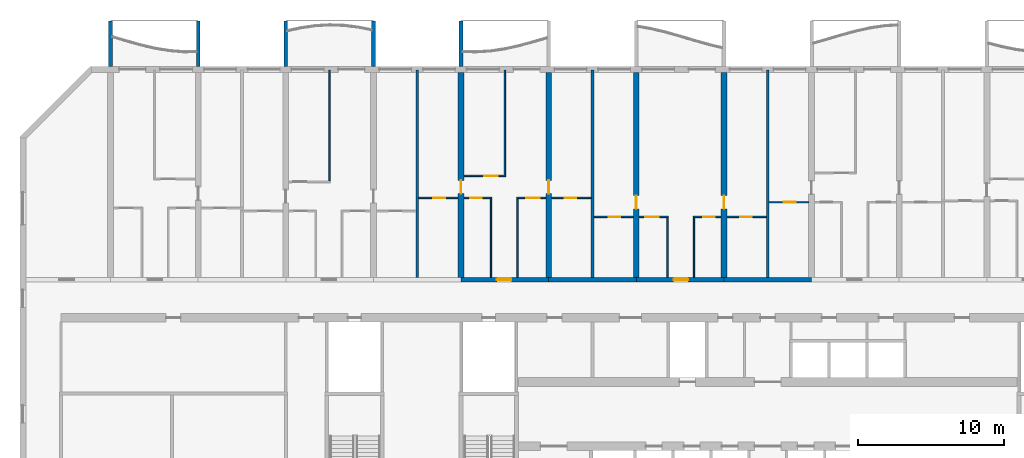
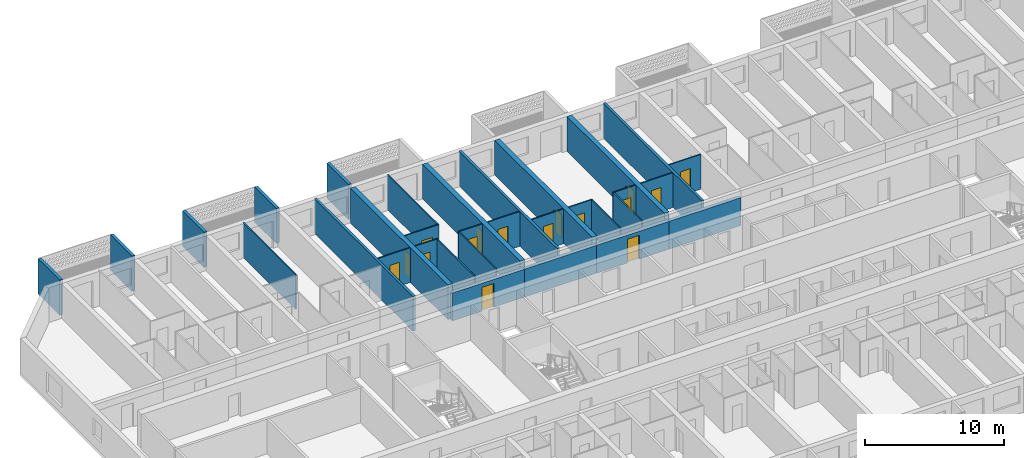
# One storey, part 11 of 38: 32 walls, 16 doors, 16 openings.
"""IFC4 building model written with IfcOpenShell, lengths in metres."""

from ifc_helpers import new_model, si_unit, direction, frame, frame_2d, origin, place, context, subcontext, project, spatial, polyline, rectangle, outline, extrude, source, transform, mapped, material, layer, layer_set, type_object, element, fill, save


model = new_model("IFC4")

# Units and contexts
model_context = context("Model", 3, precision=1e-05, world=origin(), true_north=direction((0.0, 1.0)))
body_context = subcontext(model_context, "Body", "Model", "MODEL_VIEW")
ifc_project = project(units=[si_unit("LENGTHUNIT", "METRE"), si_unit("AREAUNIT", "SQUARE_METRE"), si_unit("VOLUMEUNIT", "CUBIC_METRE"), si_unit("PLANEANGLEUNIT", "RADIAN"), si_unit("MASSUNIT", "GRAM", prefix="KILO")], contexts=[model_context])

# Site, building, storey
site_placement = place(None, origin())
site = spatial("IfcSite", under=ifc_project, at=site_placement, CompositionType="ELEMENT")
building_placement = place(site_placement, origin())
building = spatial("IfcBuilding", under=site, at=building_placement, Name="Poui Terraces", CompositionType="ELEMENT")
storey_placement = place(building_placement, frame((0.0, 0.0, 43.199951171875)))
storey = spatial("IfcBuildingStorey", under=building, at=storey_placement, Name="L11", CompositionType="ELEMENT", Elevation=43.199951171875)

# Wall, opening, door
ifc_material_1 = material(Name="Concrete 80 MPa", Category="concrete")
ifc_layer_1 = layer(ifc_material_1, 0.300048828125)
ifc_layer_set_1 = layer_set([ifc_layer_1], Name="Concrete 80 MPa")
wall_type_1 = type_object("IfcWallType", Name="CORRIDOR WALL 300 80MPa", PredefinedType="SHEAR", material=ifc_layer_set_1)
wall_1_placement = place(storey_placement, frame((30.0, 30.39990234375, 0.0), z_axis=(0.0, 0.0, 1.0), x_axis=(1.0, 0.0, 0.0)))
wall_1 = element("IfcWall", 1, at=wall_1_placement, inside=storey, type_object=wall_type_1, Name="CORRIDOR WALL LINE E BAY 6", PredefinedType="SHEAR", context=body_context, shape_type="SweptSolid", body=[
    extrude(rectangle(XDim=6.0, YDim=0.300048828125, at=frame_2d((3.0, 0.0))), origin(), (0.0, 0.0, 1.0), 2.449951171875),
])
opening_1_placement = place(wall_1_placement, frame((2.449951171875, 0.0, 0.0)))
opening_1 = element("IfcOpeningElement", 2, at=opening_1_placement, cuts=wall_1, Name="Opening FD30S", PredefinedType="OPENING", context=body_context, shape_type="SweptSolid", body=[
    extrude(rectangle(XDim=1.0, YDim=2.10009765625, at=frame_2d((0.5, 1.050048828125))), frame((0.0, 0.16015625, 0.0), z_axis=(0.0, -1.0, 0.0), x_axis=(1.0, 0.0, 0.0)), (0.0, 0.0, 1.0), 0.320068359375),
])
ifc_material_2 = material(Name="Steel fire door", Category="steel")
door_type_1 = type_object("IfcDoorType", Name="FLAT ENTRANCE DOOR 1000 X 2100", OperationType="NOTDEFINED", PredefinedType="DOOR", material=ifc_material_2)
door_1_placement = place(opening_1_placement, origin())
door_1 = element("IfcDoor", 3, at=door_1_placement, inside=storey, type_object=door_type_1, Name="FLAT ENTRANCE DOOR 051", OperationType="SINGLE_SWING_LEFT", OverallHeight=2.10009765625, OverallWidth=1.0, PredefinedType="DOOR", context=body_context, shape_type="SweptSolid", body=[
    extrude(rectangle(XDim=1.0, YDim=2.10009765625, at=frame_2d((0.5, 1.050048828125))), frame((0.0, 0.02490234375, 0.0), z_axis=(0.0, -1.0, 0.0), x_axis=(1.0, 0.0, 0.0)), (0.0, 0.0, 1.0), 0.050048828125),
])
fill(opening_1, door_1)

# Wall
wall_2_placement = place(storey_placement, frame((36.0, 30.39990234375, 0.0), z_axis=(0.0, 0.0, 1.0), x_axis=(1.0, 0.0, 0.0)))
element("IfcWall", 4, at=wall_2_placement, inside=storey, type_object=wall_type_1, Name="CORRIDOR WALL LINE E BAY 7", PredefinedType="SHEAR", context=body_context, shape_type="SweptSolid", body=[
    extrude(rectangle(XDim=6.0, YDim=0.300048828125, at=frame_2d((3.0, 0.0))), origin(), (0.0, 0.0, 1.0), 2.449951171875),
])

# Wall, opening, door
wall_3_placement = place(storey_placement, frame((42.0, 30.39990234375, 0.0), z_axis=(0.0, 0.0, 1.0), x_axis=(1.0, 0.0, 0.0)))
wall_3 = element("IfcWall", 5, at=wall_3_placement, inside=storey, type_object=wall_type_1, Name="CORRIDOR WALL LINE E BAY 8", PredefinedType="SHEAR", context=body_context, shape_type="SweptSolid", body=[
    extrude(rectangle(XDim=6.0, YDim=0.300048828125, at=frame_2d((3.0, 0.0))), origin(), (0.0, 0.0, 1.0), 2.449951171875),
])
opening_2_placement = place(wall_3_placement, frame((2.550048828125, 0.0, 0.0)))
opening_2 = element("IfcOpeningElement", 6, at=opening_2_placement, cuts=wall_3, Name="Opening FD30S", PredefinedType="OPENING", context=body_context, shape_type="SweptSolid", body=[
    extrude(rectangle(XDim=1.0, YDim=2.10009765625, at=frame_2d((0.5, 1.050048828125))), frame((0.0, 0.16015625, 0.0), z_axis=(0.0, -1.0, 0.0), x_axis=(1.0, 0.0, 0.0)), (0.0, 0.0, 1.0), 0.320068359375),
])
door_2_placement = place(opening_2_placement, origin())
door_2 = element("IfcDoor", 7, at=door_2_placement, inside=storey, type_object=door_type_1, Name="FLAT ENTRANCE DOOR 058", OperationType="SINGLE_SWING_RIGHT", OverallHeight=2.10009765625, OverallWidth=1.0, PredefinedType="DOOR", context=body_context, shape_type="SweptSolid", body=[
    extrude(rectangle(XDim=1.0, YDim=2.10009765625, at=frame_2d((0.5, 1.050048828125))), frame((0.0, 0.02490234375, 0.0), z_axis=(0.0, -1.0, 0.0), x_axis=(1.0, 0.0, 0.0)), (0.0, 0.0, 1.0), 0.050048828125),
])
fill(opening_2, door_2)

# Wall
wall_4_placement = place(storey_placement, frame((48.0, 30.39990234375, 0.0), z_axis=(0.0, 0.0, 1.0), x_axis=(1.0, 0.0, 0.0)))
element("IfcWall", 8, at=wall_4_placement, inside=storey, type_object=wall_type_1, Name="CORRIDOR WALL LINE E BAY 9", PredefinedType="SHEAR", context=body_context, shape_type="SweptSolid", body=[
    extrude(rectangle(XDim=6.0, YDim=0.300048828125, at=frame_2d((3.0, 0.0))), origin(), (0.0, 0.0, 1.0), 2.449951171875),
])

# Wall, opening, door
ifc_layer_2 = layer(ifc_material_1, 0.39990234375)
ifc_layer_set_2 = layer_set([ifc_layer_2], Name="Concrete 80 MPa")
wall_type_2 = type_object("IfcWallType", Name="CROSS WALL 400 80MPa", PredefinedType="SHEAR", material=ifc_layer_set_2)
wall_5_placement = place(storey_placement, frame((30.0, 30.550048828125, 0.0), z_axis=(0.0, 0.0, 1.0), x_axis=(0.0, 1.0, 0.0)))
wall_5 = element("IfcWall", 9, at=wall_5_placement, inside=storey, type_object=wall_type_2, Name="CROSS WALL LINE 6 NORTH", PredefinedType="SHEAR", context=body_context, shape_type="SweptSolid", body=[
    extrude(rectangle(XDim=14.050048828125, YDim=0.39990234375, at=frame_2d((7.02490234375, 0.0))), origin(), (0.0, 0.0, 1.0), 3.050048828125),
])
opening_3_placement = place(wall_5_placement, frame((5.75, 0.0, 0.0)))
opening_3 = element("IfcOpeningElement", 10, at=opening_3_placement, cuts=wall_5, Name="Opening D90", PredefinedType="OPENING", context=body_context, shape_type="SweptSolid", body=[
    extrude(rectangle(XDim=0.89990234375, YDim=2.10009765625, at=frame_2d((0.449951171875, 1.050048828125))), frame((0.0, 0.2099609375, 0.0), z_axis=(0.0, -1.0, 0.0), x_axis=(1.0, 0.0, 0.0)), (0.0, 0.0, 1.0), 0.419921875),
])
ifc_material_3 = material(Name="Solid core timber door", Category="wood")
door_type_2 = type_object("IfcDoorType", Name="INTERNAL DOOR 900 X 2100", OperationType="NOTDEFINED", PredefinedType="DOOR", material=ifc_material_3)
door_3_placement = place(opening_3_placement, origin())
door_3 = element("IfcDoor", 11, at=door_3_placement, inside=storey, type_object=door_type_2, Name="INTERNAL DOOR 048", OperationType="SINGLE_SWING_LEFT", OverallHeight=2.10009765625, OverallWidth=0.89990234375, PredefinedType="DOOR", context=body_context, shape_type="SweptSolid", body=[
    extrude(rectangle(XDim=0.89990234375, YDim=2.10009765625, at=frame_2d((0.449951171875, 1.050048828125))), frame((0.0, 0.02490234375, 0.0), z_axis=(0.0, -1.0, 0.0), x_axis=(1.0, 0.0, 0.0)), (0.0, 0.0, 1.0), 0.050048828125),
])
fill(opening_3, door_3)

wall_6_placement = place(storey_placement, frame((36.0, 30.550048828125, 0.0), z_axis=(0.0, 0.0, 1.0), x_axis=(0.0, 1.0, 0.0)))
wall_6 = element("IfcWall", 12, at=wall_6_placement, inside=storey, type_object=wall_type_2, Name="CROSS WALL LINE 7 NORTH", PredefinedType="SHEAR", context=body_context, shape_type="SweptSolid", body=[
    extrude(rectangle(XDim=14.050048828125, YDim=0.39990234375, at=frame_2d((7.02490234375, 0.0))), origin(), (0.0, 0.0, 1.0), 3.050048828125),
])
opening_4_placement = place(wall_6_placement, frame((5.75, 0.0, 0.0)))
opening_4 = element("IfcOpeningElement", 13, at=opening_4_placement, cuts=wall_6, Name="Opening D90", PredefinedType="OPENING", context=body_context, shape_type="SweptSolid", body=[
    extrude(rectangle(XDim=0.89990234375, YDim=2.10009765625, at=frame_2d((0.449951171875, 1.050048828125))), frame((0.0, 0.2099609375, 0.0), z_axis=(0.0, -1.0, 0.0), x_axis=(1.0, 0.0, 0.0)), (0.0, 0.0, 1.0), 0.419921875),
])
door_4_placement = place(opening_4_placement, frame((0.89990234375, 0.0, 0.0), z_axis=(0.0, 0.0, 1.0), x_axis=(-1.0, 0.0, 0.0)))
door_4 = element("IfcDoor", 14, at=door_4_placement, inside=storey, type_object=door_type_2, Name="INTERNAL DOOR 053", OperationType="SINGLE_SWING_RIGHT", OverallHeight=2.10009765625, OverallWidth=0.89990234375, PredefinedType="DOOR", context=body_context, shape_type="SweptSolid", body=[
    extrude(rectangle(XDim=0.89990234375, YDim=2.10009765625, at=frame_2d((0.449951171875, 1.050048828125))), frame((0.0, 0.02490234375, 0.0), z_axis=(0.0, -1.0, 0.0), x_axis=(1.0, 0.0, 0.0)), (0.0, 0.0, 1.0), 0.050048828125),
])
fill(opening_4, door_4)

wall_7_placement = place(storey_placement, frame((42.0, 30.550048828125, 0.0), z_axis=(0.0, 0.0, 1.0), x_axis=(0.0, 1.0, 0.0)))
wall_7 = element("IfcWall", 15, at=wall_7_placement, inside=storey, type_object=wall_type_2, Name="CROSS WALL LINE 8 NORTH", PredefinedType="SHEAR", context=body_context, shape_type="SweptSolid", body=[
    extrude(rectangle(XDim=14.050048828125, YDim=0.39990234375, at=frame_2d((7.02490234375, 0.0))), origin(), (0.0, 0.0, 1.0), 3.050048828125),
])
opening_5_placement = place(wall_7_placement, frame((4.699951171875, 0.0, 0.0)))
opening_5 = element("IfcOpeningElement", 16, at=opening_5_placement, cuts=wall_7, Name="Opening D90", PredefinedType="OPENING", context=body_context, shape_type="SweptSolid", body=[
    extrude(rectangle(XDim=0.89990234375, YDim=2.10009765625, at=frame_2d((0.449951171875, 1.050048828125))), frame((0.0, 0.2099609375, 0.0), z_axis=(0.0, -1.0, 0.0), x_axis=(1.0, 0.0, 0.0)), (0.0, 0.0, 1.0), 0.419921875),
])
door_5_placement = place(opening_5_placement, origin())
door_5 = element("IfcDoor", 17, at=door_5_placement, inside=storey, type_object=door_type_2, Name="INTERNAL DOOR 056", OperationType="SINGLE_SWING_LEFT", OverallHeight=2.10009765625, OverallWidth=0.89990234375, PredefinedType="DOOR", context=body_context, shape_type="SweptSolid", body=[
    extrude(rectangle(XDim=0.89990234375, YDim=2.10009765625, at=frame_2d((0.449951171875, 1.050048828125))), frame((0.0, 0.02490234375, 0.0), z_axis=(0.0, -1.0, 0.0), x_axis=(1.0, 0.0, 0.0)), (0.0, 0.0, 1.0), 0.050048828125),
])
fill(opening_5, door_5)

wall_8_placement = place(storey_placement, frame((48.0, 30.550048828125, 0.0), z_axis=(0.0, 0.0, 1.0), x_axis=(0.0, 1.0, 0.0)))
wall_8 = element("IfcWall", 18, at=wall_8_placement, inside=storey, type_object=wall_type_2, Name="CROSS WALL LINE 9 NORTH", PredefinedType="SHEAR", context=body_context, shape_type="SweptSolid", body=[
    extrude(rectangle(XDim=14.050048828125, YDim=0.39990234375, at=frame_2d((7.02490234375, 0.0))), origin(), (0.0, 0.0, 1.0), 3.050048828125),
])
opening_6_placement = place(wall_8_placement, frame((4.699951171875, 0.0, 0.0)))
opening_6 = element("IfcOpeningElement", 19, at=opening_6_placement, cuts=wall_8, Name="Opening D90", PredefinedType="OPENING", context=body_context, shape_type="SweptSolid", body=[
    extrude(rectangle(XDim=0.89990234375, YDim=2.10009765625, at=frame_2d((0.449951171875, 1.050048828125))), frame((0.0, 0.2099609375, 0.0), z_axis=(0.0, -1.0, 0.0), x_axis=(1.0, 0.0, 0.0)), (0.0, 0.0, 1.0), 0.419921875),
])
door_6_placement = place(opening_6_placement, frame((0.89990234375, 0.0, 0.0), z_axis=(0.0, 0.0, 1.0), x_axis=(-1.0, 0.0, 0.0)))
door_6 = element("IfcDoor", 20, at=door_6_placement, inside=storey, type_object=door_type_2, Name="INTERNAL DOOR 060", OperationType="SINGLE_SWING_RIGHT", OverallHeight=2.10009765625, OverallWidth=0.89990234375, PredefinedType="DOOR", context=body_context, shape_type="SweptSolid", body=[
    extrude(rectangle(XDim=0.89990234375, YDim=2.10009765625, at=frame_2d((0.449951171875, 1.050048828125))), frame((0.0, 0.02490234375, 0.0), z_axis=(0.0, -1.0, 0.0), x_axis=(1.0, 0.0, 0.0)), (0.0, 0.0, 1.0), 0.050048828125),
])
fill(opening_6, door_6)

ifc_material_4 = material(Name="Plasterboard partition")
ifc_layer_3 = layer(ifc_material_4, 0.10009765625)
ifc_layer_set_3 = layer_set([ifc_layer_3], Name="Plasterboard partition")
wall_type_3 = type_object("IfcWallType", Name="FLAT PARTITION 100", PredefinedType="PARTITIONING", material=ifc_layer_set_3)
wall_9_placement = place(storey_placement, frame((39.10009765625, 34.699951171875, 0.0), z_axis=(0.0, 0.0, 1.0), x_axis=(1.0, 0.0, 0.0)))
wall_9 = element("IfcWall", 21, at=wall_9_placement, inside=storey, type_object=wall_type_3, Name="FLAT PARTITION 100", PredefinedType="PARTITIONING", context=body_context, shape_type="SweptSolid", body=[
    extrude(rectangle(XDim=2.68994140625, YDim=0.10009765625, at=frame_2d((1.344970703125, 0.0))), origin(), (0.0, 0.0, 1.0), 3.050048828125),
])
opening_7_placement = place(wall_9_placement, frame((1.0, 0.0, 0.0)))
opening_7 = element("IfcOpeningElement", 22, at=opening_7_placement, cuts=wall_9, Name="Opening D80", PredefinedType="OPENING", context=body_context, shape_type="SweptSolid", body=[
    extrude(rectangle(XDim=0.800048828125, YDim=2.10009765625, at=frame_2d((0.39990234375, 1.050048828125))), frame((0.0, 0.06005859375, 0.0), z_axis=(0.0, -1.0, 0.0), x_axis=(1.0, 0.0, 0.0)), (0.0, 0.0, 1.0), 0.1201171875),
])
door_type_3 = type_object("IfcDoorType", Name="BATHROOM, LAUNDRY AND STORE DOOR 800 X 2100", OperationType="NOTDEFINED", PredefinedType="DOOR", material=ifc_material_3)
door_7_placement = place(opening_7_placement, frame((0.800048828125, 0.0, 0.0), z_axis=(0.0, 0.0, 1.0), x_axis=(-1.0, 0.0, 0.0)))
door_7 = element("IfcDoor", 23, at=door_7_placement, inside=storey, type_object=door_type_3, Name="BATHROOM, LAUNDRY AND STORE DOOR 054", OperationType="SINGLE_SWING_RIGHT", OverallHeight=2.10009765625, OverallWidth=0.800048828125, PredefinedType="DOOR", context=body_context, shape_type="SweptSolid", body=[
    extrude(rectangle(XDim=0.800048828125, YDim=2.10009765625, at=frame_2d((0.39990234375, 1.050048828125))), frame((0.0, 0.02490234375, 0.0), z_axis=(0.0, -1.0, 0.0), x_axis=(1.0, 0.0, 0.0)), (0.0, 0.0, 1.0), 0.050048828125),
])
fill(opening_7, door_7)

wall_10_placement = place(storey_placement, frame((42.2099609375, 34.699951171875, 0.0), z_axis=(0.0, 0.0, 1.0), x_axis=(1.0, 0.0, 0.0)))
wall_10 = element("IfcWall", 24, at=wall_10_placement, inside=storey, type_object=wall_type_3, Name="FLAT PARTITION 100", PredefinedType="PARTITIONING", context=body_context, shape_type="SweptSolid", body=[
    extrude(rectangle(XDim=1.989990234375, YDim=0.10009765625, at=frame_2d((0.9951171875, 0.0))), origin(), (0.0, 0.0, 1.0), 3.050048828125),
])
opening_8_placement = place(wall_10_placement, frame((0.4150390625, 0.0, 0.0)))
opening_8 = element("IfcOpeningElement", 25, at=opening_8_placement, cuts=wall_10, Name="Opening D90", PredefinedType="OPENING", context=body_context, shape_type="SweptSolid", body=[
    extrude(rectangle(XDim=0.89990234375, YDim=2.10009765625, at=frame_2d((0.449951171875, 1.050048828125))), frame((0.0, 0.06005859375, 0.0), z_axis=(0.0, -1.0, 0.0), x_axis=(1.0, 0.0, 0.0)), (0.0, 0.0, 1.0), 0.1201171875),
])
door_8_placement = place(opening_8_placement, frame((0.89990234375, 0.0, 0.0), z_axis=(0.0, 0.0, 1.0), x_axis=(-1.0, 0.0, 0.0)))
door_8 = element("IfcDoor", 26, at=door_8_placement, inside=storey, type_object=door_type_2, Name="INTERNAL DOOR 057", OperationType="SINGLE_SWING_LEFT", OverallHeight=2.10009765625, OverallWidth=0.89990234375, PredefinedType="DOOR", context=body_context, shape_type="SweptSolid", body=[
    extrude(rectangle(XDim=0.89990234375, YDim=2.10009765625, at=frame_2d((0.449951171875, 1.050048828125))), frame((0.0, 0.02490234375, 0.0), z_axis=(0.0, -1.0, 0.0), x_axis=(1.0, 0.0, 0.0)), (0.0, 0.0, 1.0), 0.050048828125),
])
fill(opening_8, door_8)

wall_11_placement = place(storey_placement, frame((45.89990234375, 34.699951171875, 0.0), z_axis=(0.0, 0.0, 1.0), x_axis=(1.0, 0.0, 0.0)))
wall_11 = element("IfcWall", 27, at=wall_11_placement, inside=storey, type_object=wall_type_3, Name="FLAT PARTITION 100", PredefinedType="PARTITIONING", context=body_context, shape_type="SweptSolid", body=[
    extrude(rectangle(XDim=1.89013671875, YDim=0.10009765625, at=frame_2d((0.945068359375, 0.0))), origin(), (0.0, 0.0, 1.0), 3.050048828125),
])
opening_9_placement = place(wall_11_placement, frame((0.675048828125, 0.0, 0.0)))
opening_9 = element("IfcOpeningElement", 28, at=opening_9_placement, cuts=wall_11, Name="Opening D80", PredefinedType="OPENING", context=body_context, shape_type="SweptSolid", body=[
    extrude(rectangle(XDim=0.800048828125, YDim=2.10009765625, at=frame_2d((0.39990234375, 1.050048828125))), frame((0.0, 0.06005859375, 0.0), z_axis=(0.0, -1.0, 0.0), x_axis=(1.0, 0.0, 0.0)), (0.0, 0.0, 1.0), 0.1201171875),
])
door_9_placement = place(opening_9_placement, frame((0.800048828125, 0.0, 0.0), z_axis=(0.0, 0.0, 1.0), x_axis=(-1.0, 0.0, 0.0)))
door_9 = element("IfcDoor", 29, at=door_9_placement, inside=storey, type_object=door_type_3, Name="BATHROOM, LAUNDRY AND STORE DOOR 059", OperationType="SINGLE_SWING_RIGHT", OverallHeight=2.10009765625, OverallWidth=0.800048828125, PredefinedType="DOOR", context=body_context, shape_type="SweptSolid", body=[
    extrude(rectangle(XDim=0.800048828125, YDim=2.10009765625, at=frame_2d((0.39990234375, 1.050048828125))), frame((0.0, 0.02490234375, 0.0), z_axis=(0.0, -1.0, 0.0), x_axis=(1.0, 0.0, 0.0)), (0.0, 0.0, 1.0), 0.050048828125),
])
fill(opening_9, door_9)

wall_12_placement = place(storey_placement, frame((48.2099609375, 34.699951171875, 0.0), z_axis=(0.0, 0.0, 1.0), x_axis=(1.0, 0.0, 0.0)))
wall_12 = element("IfcWall", 30, at=wall_12_placement, inside=storey, type_object=wall_type_3, Name="FLAT PARTITION 100", PredefinedType="PARTITIONING", context=body_context, shape_type="SweptSolid", body=[
    extrude(rectangle(XDim=2.68994140625, YDim=0.10009765625, at=frame_2d((1.344970703125, 0.0))), origin(), (0.0, 0.0, 1.0), 3.050048828125),
])
opening_10_placement = place(wall_12_placement, frame((0.889892578125, 0.0, 0.0)))
opening_10 = element("IfcOpeningElement", 31, at=opening_10_placement, cuts=wall_12, Name="Opening D80", PredefinedType="OPENING", context=body_context, shape_type="SweptSolid", body=[
    extrude(rectangle(XDim=0.800048828125, YDim=2.10009765625, at=frame_2d((0.39990234375, 1.050048828125))), frame((0.0, 0.06005859375, 0.0), z_axis=(0.0, -1.0, 0.0), x_axis=(1.0, 0.0, 0.0)), (0.0, 0.0, 1.0), 0.1201171875),
])
door_10_placement = place(opening_10_placement, frame((0.800048828125, 0.0, 0.0), z_axis=(0.0, 0.0, 1.0), x_axis=(-1.0, 0.0, 0.0)))
door_10 = element("IfcDoor", 32, at=door_10_placement, inside=storey, type_object=door_type_3, Name="BATHROOM, LAUNDRY AND STORE DOOR 055", OperationType="SINGLE_SWING_RIGHT", OverallHeight=2.10009765625, OverallWidth=0.800048828125, PredefinedType="DOOR", context=body_context, shape_type="SweptSolid", body=[
    extrude(rectangle(XDim=0.800048828125, YDim=2.10009765625, at=frame_2d((0.39990234375, 1.050048828125))), frame((0.0, 0.02490234375, 0.0), z_axis=(0.0, -1.0, 0.0), x_axis=(1.0, 0.0, 0.0)), (0.0, 0.0, 1.0), 0.050048828125),
])
fill(opening_10, door_10)

wall_13_placement = place(storey_placement, frame((51.10009765625, 35.699951171875, 0.0), z_axis=(0.0, 0.0, 1.0), x_axis=(1.0, 0.0, 0.0)))
wall_13 = element("IfcWall", 33, at=wall_13_placement, inside=storey, type_object=wall_type_3, Name="FLAT PARTITION 100", PredefinedType="PARTITIONING", context=body_context, shape_type="SweptSolid", body=[
    extrude(rectangle(XDim=2.68994140625, YDim=0.10009765625, at=frame_2d((1.344970703125, 0.0))), origin(), (0.0, 0.0, 1.0), 3.050048828125),
])
opening_11_placement = place(wall_13_placement, frame((1.0, 0.0, 0.0)))
opening_11 = element("IfcOpeningElement", 34, at=opening_11_placement, cuts=wall_13, Name="Opening D80", PredefinedType="OPENING", context=body_context, shape_type="SweptSolid", body=[
    extrude(rectangle(XDim=0.800048828125, YDim=2.10009765625, at=frame_2d((0.39990234375, 1.050048828125))), frame((0.0, 0.06005859375, 0.0), z_axis=(0.0, -1.0, 0.0), x_axis=(1.0, 0.0, 0.0)), (0.0, 0.0, 1.0), 0.1201171875),
])
door_11_placement = place(opening_11_placement, frame((0.800048828125, 0.0, 0.0), z_axis=(0.0, 0.0, 1.0), x_axis=(-1.0, 0.0, 0.0)))
door_11 = element("IfcDoor", 35, at=door_11_placement, inside=storey, type_object=door_type_3, Name="BATHROOM, LAUNDRY AND STORE DOOR 061", OperationType="SINGLE_SWING_LEFT", OverallHeight=2.10009765625, OverallWidth=0.800048828125, PredefinedType="DOOR", context=body_context, shape_type="SweptSolid", body=[
    extrude(rectangle(XDim=0.800048828125, YDim=2.10009765625, at=frame_2d((0.39990234375, 1.050048828125))), frame((0.0, 0.02490234375, 0.0), z_axis=(0.0, -1.0, 0.0), x_axis=(1.0, 0.0, 0.0)), (0.0, 0.0, 1.0), 0.050048828125),
])
fill(opening_11, door_11)

wall_14_placement = place(storey_placement, frame((27.10009765625, 36.0, 0.0), z_axis=(0.0, 0.0, 1.0), x_axis=(1.0, 0.0, 0.0)))
wall_14 = element("IfcWall", 36, at=wall_14_placement, inside=storey, type_object=wall_type_3, Name="FLAT PARTITION 100", PredefinedType="PARTITIONING", context=body_context, shape_type="SweptSolid", body=[
    extrude(rectangle(XDim=2.68994140625, YDim=0.10009765625, at=frame_2d((1.344970703125, 0.0))), origin(), (0.0, 0.0, 1.0), 3.050048828125),
])
opening_12_placement = place(wall_14_placement, frame((1.0, 0.0, 0.0)))
opening_12 = element("IfcOpeningElement", 37, at=opening_12_placement, cuts=wall_14, Name="Opening D80", PredefinedType="OPENING", context=body_context, shape_type="SweptSolid", body=[
    extrude(rectangle(XDim=0.800048828125, YDim=2.10009765625, at=frame_2d((0.39990234375, 1.050048828125))), frame((0.0, 0.06005859375, 0.0), z_axis=(0.0, -1.0, 0.0), x_axis=(1.0, 0.0, 0.0)), (0.0, 0.0, 1.0), 0.1201171875),
])
door_12_placement = place(opening_12_placement, frame((0.800048828125, 0.0, 0.0), z_axis=(0.0, 0.0, 1.0), x_axis=(-1.0, 0.0, 0.0)))
door_12 = element("IfcDoor", 38, at=door_12_placement, inside=storey, type_object=door_type_3, Name="BATHROOM, LAUNDRY AND STORE DOOR 046", OperationType="SINGLE_SWING_LEFT", OverallHeight=2.10009765625, OverallWidth=0.800048828125, PredefinedType="DOOR", context=body_context, shape_type="SweptSolid", body=[
    extrude(rectangle(XDim=0.800048828125, YDim=2.10009765625, at=frame_2d((0.39990234375, 1.050048828125))), frame((0.0, 0.02490234375, 0.0), z_axis=(0.0, -1.0, 0.0), x_axis=(1.0, 0.0, 0.0)), (0.0, 0.0, 1.0), 0.050048828125),
])
fill(opening_12, door_12)

wall_15_placement = place(storey_placement, frame((30.2099609375, 36.0, 0.0), z_axis=(0.0, 0.0, 1.0), x_axis=(1.0, 0.0, 0.0)))
wall_15 = element("IfcWall", 39, at=wall_15_placement, inside=storey, type_object=wall_type_3, Name="FLAT PARTITION 100", PredefinedType="PARTITIONING", context=body_context, shape_type="SweptSolid", body=[
    extrude(rectangle(XDim=1.89013671875, YDim=0.10009765625, at=frame_2d((0.945068359375, 0.0))), origin(), (0.0, 0.0, 1.0), 3.050048828125),
])
opening_13_placement = place(wall_15_placement, frame((0.4150390625, 0.0, 0.0)))
opening_13 = element("IfcOpeningElement", 40, at=opening_13_placement, cuts=wall_15, Name="Opening D80", PredefinedType="OPENING", context=body_context, shape_type="SweptSolid", body=[
    extrude(rectangle(XDim=0.800048828125, YDim=2.10009765625, at=frame_2d((0.39990234375, 1.050048828125))), frame((0.0, 0.06005859375, 0.0), z_axis=(0.0, -1.0, 0.0), x_axis=(1.0, 0.0, 0.0)), (0.0, 0.0, 1.0), 0.1201171875),
])
door_13_placement = place(opening_13_placement, frame((0.800048828125, 0.0, 0.0), z_axis=(0.0, 0.0, 1.0), x_axis=(-1.0, 0.0, 0.0)))
door_13 = element("IfcDoor", 41, at=door_13_placement, inside=storey, type_object=door_type_3, Name="BATHROOM, LAUNDRY AND STORE DOOR 049", OperationType="SINGLE_SWING_LEFT", OverallHeight=2.10009765625, OverallWidth=0.800048828125, PredefinedType="DOOR", context=body_context, shape_type="SweptSolid", body=[
    extrude(rectangle(XDim=0.800048828125, YDim=2.10009765625, at=frame_2d((0.39990234375, 1.050048828125))), frame((0.0, 0.02490234375, 0.0), z_axis=(0.0, -1.0, 0.0), x_axis=(1.0, 0.0, 0.0)), (0.0, 0.0, 1.0), 0.050048828125),
])
fill(opening_13, door_13)

wall_16_placement = place(storey_placement, frame((33.800048828125, 36.0, 0.0), z_axis=(0.0, 0.0, 1.0), x_axis=(1.0, 0.0, 0.0)))
wall_16 = element("IfcWall", 42, at=wall_16_placement, inside=storey, type_object=wall_type_3, Name="FLAT PARTITION 100", PredefinedType="PARTITIONING", context=body_context, shape_type="SweptSolid", body=[
    extrude(rectangle(XDim=1.989990234375, YDim=0.10009765625, at=frame_2d((0.9951171875, 0.0))), origin(), (0.0, 0.0, 1.0), 3.050048828125),
])
opening_14_placement = place(wall_16_placement, frame((0.675048828125, 0.0, 0.0)))
opening_14 = element("IfcOpeningElement", 43, at=opening_14_placement, cuts=wall_16, Name="Opening D90", PredefinedType="OPENING", context=body_context, shape_type="SweptSolid", body=[
    extrude(rectangle(XDim=0.89990234375, YDim=2.10009765625, at=frame_2d((0.449951171875, 1.050048828125))), frame((0.0, 0.06005859375, 0.0), z_axis=(0.0, -1.0, 0.0), x_axis=(1.0, 0.0, 0.0)), (0.0, 0.0, 1.0), 0.1201171875),
])
door_14_placement = place(opening_14_placement, frame((0.89990234375, 0.0, 0.0), z_axis=(0.0, 0.0, 1.0), x_axis=(-1.0, 0.0, 0.0)))
door_14 = element("IfcDoor", 44, at=door_14_placement, inside=storey, type_object=door_type_2, Name="INTERNAL DOOR 052", OperationType="SINGLE_SWING_RIGHT", OverallHeight=2.10009765625, OverallWidth=0.89990234375, PredefinedType="DOOR", context=body_context, shape_type="SweptSolid", body=[
    extrude(rectangle(XDim=0.89990234375, YDim=2.10009765625, at=frame_2d((0.449951171875, 1.050048828125))), frame((0.0, 0.02490234375, 0.0), z_axis=(0.0, -1.0, 0.0), x_axis=(1.0, 0.0, 0.0)), (0.0, 0.0, 1.0), 0.050048828125),
])
fill(opening_14, door_14)

wall_17_placement = place(storey_placement, frame((36.2099609375, 36.0, 0.0), z_axis=(0.0, 0.0, 1.0), x_axis=(1.0, 0.0, 0.0)))
wall_17 = element("IfcWall", 45, at=wall_17_placement, inside=storey, type_object=wall_type_3, Name="FLAT PARTITION 100", PredefinedType="PARTITIONING", context=body_context, shape_type="SweptSolid", body=[
    extrude(rectangle(XDim=2.68994140625, YDim=0.10009765625, at=frame_2d((1.344970703125, 0.0))), origin(), (0.0, 0.0, 1.0), 3.050048828125),
])
opening_15_placement = place(wall_17_placement, frame((0.889892578125, 0.0, 0.0)))
opening_15 = element("IfcOpeningElement", 46, at=opening_15_placement, cuts=wall_17, Name="Opening D80", PredefinedType="OPENING", context=body_context, shape_type="SweptSolid", body=[
    extrude(rectangle(XDim=0.800048828125, YDim=2.10009765625, at=frame_2d((0.39990234375, 1.050048828125))), frame((0.0, 0.06005859375, 0.0), z_axis=(0.0, -1.0, 0.0), x_axis=(1.0, 0.0, 0.0)), (0.0, 0.0, 1.0), 0.1201171875),
])
door_15_placement = place(opening_15_placement, frame((0.800048828125, 0.0, 0.0), z_axis=(0.0, 0.0, 1.0), x_axis=(-1.0, 0.0, 0.0)))
door_15 = element("IfcDoor", 47, at=door_15_placement, inside=storey, type_object=door_type_3, Name="BATHROOM, LAUNDRY AND STORE DOOR 047", OperationType="SINGLE_SWING_LEFT", OverallHeight=2.10009765625, OverallWidth=0.800048828125, PredefinedType="DOOR", context=body_context, shape_type="SweptSolid", body=[
    extrude(rectangle(XDim=0.800048828125, YDim=2.10009765625, at=frame_2d((0.39990234375, 1.050048828125))), frame((0.0, 0.02490234375, 0.0), z_axis=(0.0, -1.0, 0.0), x_axis=(1.0, 0.0, 0.0)), (0.0, 0.0, 1.0), 0.050048828125),
])
fill(opening_15, door_15)

wall_18_placement = place(storey_placement, frame((30.2099609375, 37.5, 0.0), z_axis=(0.0, 0.0, 1.0), x_axis=(1.0, 0.0, 0.0)))
wall_18 = element("IfcWall", 48, at=wall_18_placement, inside=storey, type_object=wall_type_3, Name="FLAT PARTITION 100", PredefinedType="PARTITIONING", context=body_context, shape_type="SweptSolid", body=[
    extrude(rectangle(XDim=2.840087890625, YDim=0.10009765625, at=frame_2d((1.419921875, 0.0))), origin(), (0.0, 0.0, 1.0), 3.050048828125),
])
opening_16_placement = place(wall_18_placement, frame((1.389892578125, 0.0, 0.0)))
opening_16 = element("IfcOpeningElement", 49, at=opening_16_placement, cuts=wall_18, Name="Opening D90", PredefinedType="OPENING", context=body_context, shape_type="SweptSolid", body=[
    extrude(rectangle(XDim=0.89990234375, YDim=2.10009765625, at=frame_2d((0.449951171875, 1.050048828125))), frame((0.0, 0.06005859375, 0.0), z_axis=(0.0, -1.0, 0.0), x_axis=(1.0, 0.0, 0.0)), (0.0, 0.0, 1.0), 0.1201171875),
])
door_16_placement = place(opening_16_placement, frame((0.89990234375, 0.0, 0.0), z_axis=(0.0, 0.0, 1.0), x_axis=(-1.0, 0.0, 0.0)))
door_16 = element("IfcDoor", 50, at=door_16_placement, inside=storey, type_object=door_type_2, Name="INTERNAL DOOR 050", OperationType="SINGLE_SWING_RIGHT", OverallHeight=2.10009765625, OverallWidth=0.89990234375, PredefinedType="DOOR", context=body_context, shape_type="SweptSolid", body=[
    extrude(rectangle(XDim=0.89990234375, YDim=2.10009765625, at=frame_2d((0.449951171875, 1.050048828125))), frame((0.0, 0.02490234375, 0.0), z_axis=(0.0, -1.0, 0.0), x_axis=(1.0, 0.0, 0.0)), (0.0, 0.0, 1.0), 0.050048828125),
])
fill(opening_16, door_16)

# Walls
wall_19_placement = place(storey_placement, frame((21.0, 37.14990234375, 0.0), z_axis=(0.0, 0.0, 1.0), x_axis=(0.0, 1.0, 0.0)))
element("IfcWall", 51, at=wall_19_placement, inside=storey, type_object=wall_type_3, Name="FLAT PARTITION 100", PredefinedType="PARTITIONING", context=body_context, shape_type="SweptSolid", body=[
    extrude(rectangle(XDim=7.590087890625, YDim=0.10009765625, at=frame_2d((3.794921875, 0.0))), origin(), (0.0, 0.0, 1.0), 3.050048828125),
])
wall_20_placement = place(storey_placement, frame((32.050048828125, 30.56005859375, 0.0), z_axis=(0.0, 0.0, 1.0), x_axis=(0.0, 1.0, 0.0)))
element("IfcWall", 52, at=wall_20_placement, inside=storey, type_object=wall_type_3, Name="FLAT PARTITION 100", PredefinedType="PARTITIONING", context=body_context, shape_type="SweptSolid", body=[
    extrude(rectangle(XDim=5.389892578125, YDim=0.10009765625, at=frame_2d((2.69482421875, 0.0))), origin(), (0.0, 0.0, 1.0), 3.050048828125),
])
wall_21_placement = place(storey_placement, frame((33.0, 37.550048828125, 0.0), z_axis=(0.0, 0.0, 1.0), x_axis=(0.0, 1.0, 0.0)))
element("IfcWall", 53, at=wall_21_placement, inside=storey, type_object=wall_type_3, Name="FLAT PARTITION 100", PredefinedType="PARTITIONING", context=body_context, shape_type="SweptSolid", body=[
    extrude(rectangle(XDim=7.18994140625, YDim=0.10009765625, at=frame_2d((3.594970703125, 0.0))), origin(), (0.0, 0.0, 1.0), 3.050048828125),
])
wall_22_placement = place(storey_placement, frame((33.85009765625, 30.56005859375, 0.0), z_axis=(0.0, 0.0, 1.0), x_axis=(0.0, 1.0, 0.0)))
element("IfcWall", 54, at=wall_22_placement, inside=storey, type_object=wall_type_3, Name="FLAT PARTITION 100", PredefinedType="PARTITIONING", context=body_context, shape_type="SweptSolid", body=[
    extrude(rectangle(XDim=5.389892578125, YDim=0.10009765625, at=frame_2d((2.69482421875, 0.0))), origin(), (0.0, 0.0, 1.0), 3.050048828125),
])
for number, where, z_axis, x_axis, name in (
    (55, (44.14990234375, 30.56005859375, 0.0), (0.0, 0.0, 1.0), (0.0, 1.0, 0.0), "FLAT PARTITION 100"),
    (56, (45.949951171875, 30.56005859375, 0.0), (0.0, 0.0, 1.0), (0.0, 1.0, 0.0), "FLAT PARTITION 100"),
):
    element("IfcWall", number, at=place(storey_placement, frame(where, z_axis=z_axis, x_axis=x_axis)), inside=storey, type_object=wall_type_3, Name=name, PredefinedType="PARTITIONING", context=body_context, shape_type="SweptSolid", body=[
        extrude(rectangle(XDim=4.08984375, YDim=0.10009765625, at=frame_2d((2.044921875, 0.0))), origin(), (0.0, 0.0, 1.0), 3.050048828125),
    ])
ifc_material_5 = material(Name="Fire-rated masonry wall", Category="masonry")
ifc_layer_4 = layer(ifc_material_5, 0.199951171875)
ifc_layer_set_4 = layer_set([ifc_layer_4], Name="Fire-rated masonry wall")
wall_type_4 = type_object("IfcWallType", Name="FLAT PARTY WALL 200", PredefinedType="PARTITIONING", material=ifc_layer_set_4)
for number, where, z_axis, x_axis, name in (
    (57, (27.0, 30.56005859375, 0.0), (0.0, 0.0, 1.0), (0.0, 1.0, 0.0), "FLAT PARTY WALL 200"),
    (58, (39.0, 30.56005859375, 0.0), (0.0, 0.0, 1.0), (0.0, 1.0, 0.0), "FLAT PARTY WALL 200"),
    (59, (51.0, 30.56005859375, 0.0), (0.0, 0.0, 1.0), (0.0, 1.0, 0.0), "FLAT PARTY WALL 200"),
):
    element("IfcWall", number, at=place(storey_placement, frame(where, z_axis=z_axis, x_axis=x_axis)), inside=storey, type_object=wall_type_4, Name=name, PredefinedType="PARTITIONING", context=body_context, shape_type="SweptSolid", body=[
        extrude(rectangle(XDim=14.179931640625, YDim=0.199951171875, at=frame_2d((7.08984375, 0.0))), origin(), (0.0, 0.0, 1.0), 3.050048828125),
    ])
ifc_material_6 = material(Name="Precast concrete 40 MPa", Category="concrete")
ifc_layer_5 = layer(ifc_material_6, 0.25)
ifc_layer_set_5 = layer_set([ifc_layer_5], Name="Precast concrete 40 MPa")
wall_type_5 = type_object("IfcWallType", Name="BALCONY FIN 250", PredefinedType="STANDARD", material=ifc_layer_set_5)
shared_shape = source(origin(), body_context, "Body", "SweptSolid", [
    extrude(outline(polyline([(0.0, 0.0), (0.25, 0.0), (0.25, 3.10009765625), (0.0, 3.10009765625), (0.0, 0.0)])), origin(), (0.0, 0.0, 1.0), 3.10009765625),
])
for number, where, name in (
    (60, (5.875, 45.0, 0.0), "BALCONY FIN"),
    (61, (11.875, 45.0, 0.0), "BALCONY FIN"),
    (62, (17.875, 45.0, 0.0), "BALCONY FIN"),
    (63, (23.875, 45.0, 0.0), "BALCONY FIN"),
    (64, (29.875, 45.0, 0.0), "BALCONY FIN"),
):
    element("IfcWall", number, at=place(storey_placement, frame(where)), inside=storey, type_object=wall_type_5, Name=name, PredefinedType="STANDARD", context=body_context, shape_type="MappedRepresentation", body=[
        mapped(shared_shape, transform((0.0, 0.0, 0.0))),
    ])

save(model, "model.ifc")
